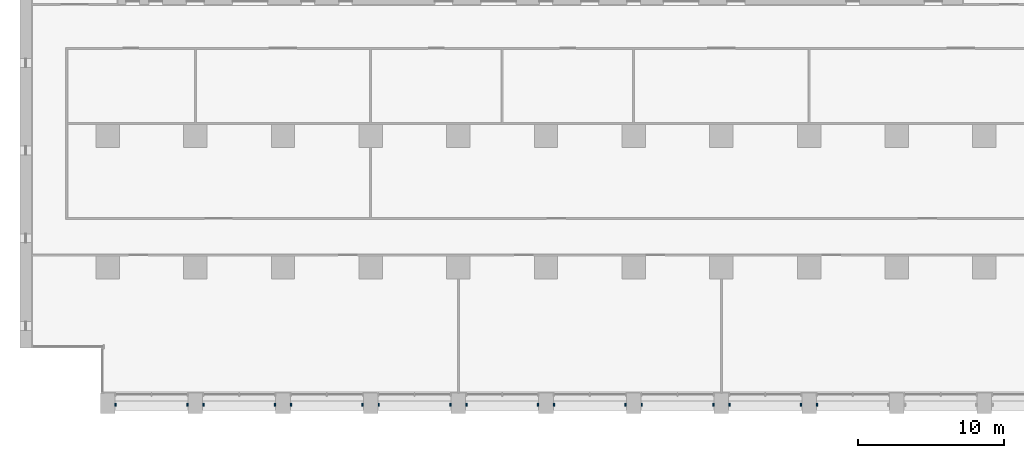
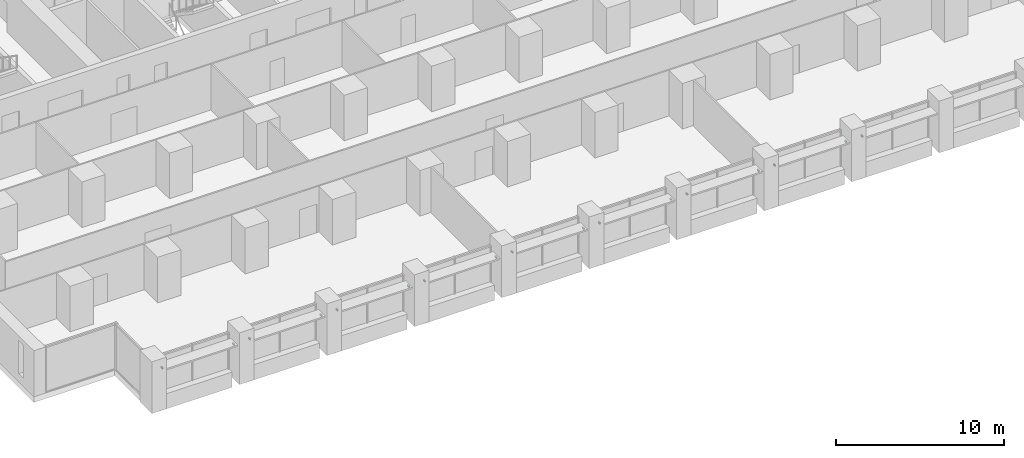
# One storey, part 15 of 17: 17 discrete accessories.
"""IFC4 building model written with IfcOpenShell, lengths in metres."""

from ifc_helpers import new_model, si_unit, direction, frame, origin, origin_2d, place, context, subcontext, project, spatial, rectangle, extrude, element, save


model = new_model("IFC4")

# Units and contexts
model_context = context("Model", 3, precision=1e-05, world=origin(), true_north=direction((0.0, 1.0)))
body_context = subcontext(model_context, "Body", "Model", "MODEL_VIEW")
ifc_project = project(units=[si_unit("LENGTHUNIT", "METRE"), si_unit("AREAUNIT", "SQUARE_METRE"), si_unit("VOLUMEUNIT", "CUBIC_METRE"), si_unit("PLANEANGLEUNIT", "RADIAN"), si_unit("MASSUNIT", "GRAM", prefix="KILO")], contexts=[model_context])

# Site, building, storey
site_placement = place(None, origin())
site = spatial("IfcSite", under=ifc_project, at=site_placement, CompositionType="ELEMENT")
building_placement = place(site_placement, origin())
building = spatial("IfcBuilding", under=site, at=building_placement, Name="Calvaro Tower", CompositionType="ELEMENT")
storey_placement = place(building_placement, frame((0.0, 0.0, 67.5)))
storey = spatial("IfcBuildingStorey", under=building, at=storey_placement, Name="L16", CompositionType="ELEMENT", Elevation=67.5)

# Discrete accessories
for number, where, z_axis, x_axis, name in (
    (1, (6.550048828125, 0.60009765625, 2.14990234375), (0.0, 0.0, 1.0), (1.0, 0.0, 0.0), "Brise-soleil bracket"),
    (2, (11.449951171875, 0.60009765625, 2.14990234375), (0.0, 0.0, 1.0), (1.0, 0.0, 0.0), "Brise-soleil bracket"),
    (3, (12.550048828125, 0.60009765625, 2.14990234375), (0.0, 0.0, 1.0), (1.0, 0.0, 0.0), "Brise-soleil bracket"),
    (4, (17.449951171875, 0.60009765625, 2.14990234375), (0.0, 0.0, 1.0), (1.0, 0.0, 0.0), "Brise-soleil bracket"),
    (5, (18.550048828125, 0.60009765625, 2.14990234375), (0.0, 0.0, 1.0), (1.0, 0.0, 0.0), "Brise-soleil bracket"),
    (6, (23.449951171875, 0.60009765625, 2.14990234375), (0.0, 0.0, 1.0), (1.0, 0.0, 0.0), "Brise-soleil bracket"),
    (7, (24.550048828125, 0.60009765625, 2.14990234375), (0.0, 0.0, 1.0), (1.0, 0.0, 0.0), "Brise-soleil bracket"),
    (8, (29.449951171875, 0.60009765625, 2.14990234375), (0.0, 0.0, 1.0), (1.0, 0.0, 0.0), "Brise-soleil bracket"),
    (9, (30.550048828125, 0.60009765625, 2.14990234375), (0.0, 0.0, 1.0), (1.0, 0.0, 0.0), "Brise-soleil bracket"),
    (10, (35.449951171875, 0.60009765625, 2.14990234375), (0.0, 0.0, 1.0), (1.0, 0.0, 0.0), "Brise-soleil bracket"),
    (11, (36.550048828125, 0.60009765625, 2.14990234375), (0.0, 0.0, 1.0), (1.0, 0.0, 0.0), "Brise-soleil bracket"),
    (12, (41.449951171875, 0.60009765625, 2.14990234375), (0.0, 0.0, 1.0), (1.0, 0.0, 0.0), "Brise-soleil bracket"),
    (13, (42.550048828125, 0.60009765625, 2.14990234375), (0.0, 0.0, 1.0), (1.0, 0.0, 0.0), "Brise-soleil bracket"),
    (14, (47.449951171875, 0.60009765625, 2.14990234375), (0.0, 0.0, 1.0), (1.0, 0.0, 0.0), "Brise-soleil bracket"),
    (15, (48.550048828125, 0.60009765625, 2.14990234375), (0.0, 0.0, 1.0), (1.0, 0.0, 0.0), "Brise-soleil bracket"),
    (16, (53.449951171875, 0.60009765625, 2.14990234375), (0.0, 0.0, 1.0), (1.0, 0.0, 0.0), "Brise-soleil bracket"),
    (17, (54.550048828125, 0.60009765625, 2.14990234375), (0.0, 0.0, 1.0), (1.0, 0.0, 0.0), "Brise-soleil bracket"),
):
    element("IfcDiscreteAccessory", number, at=place(storey_placement, frame(where, z_axis=z_axis, x_axis=x_axis)), inside=storey, Name=name, PredefinedType="BRACKET", context=body_context, shape_type="SweptSolid", body=[
        extrude(rectangle(XDim=0.10009765625, YDim=0.199951171875, at=origin_2d()), origin(), (0.0, 0.0, 1.0), 0.10009765625),
    ])

save(model, "model.ifc")
